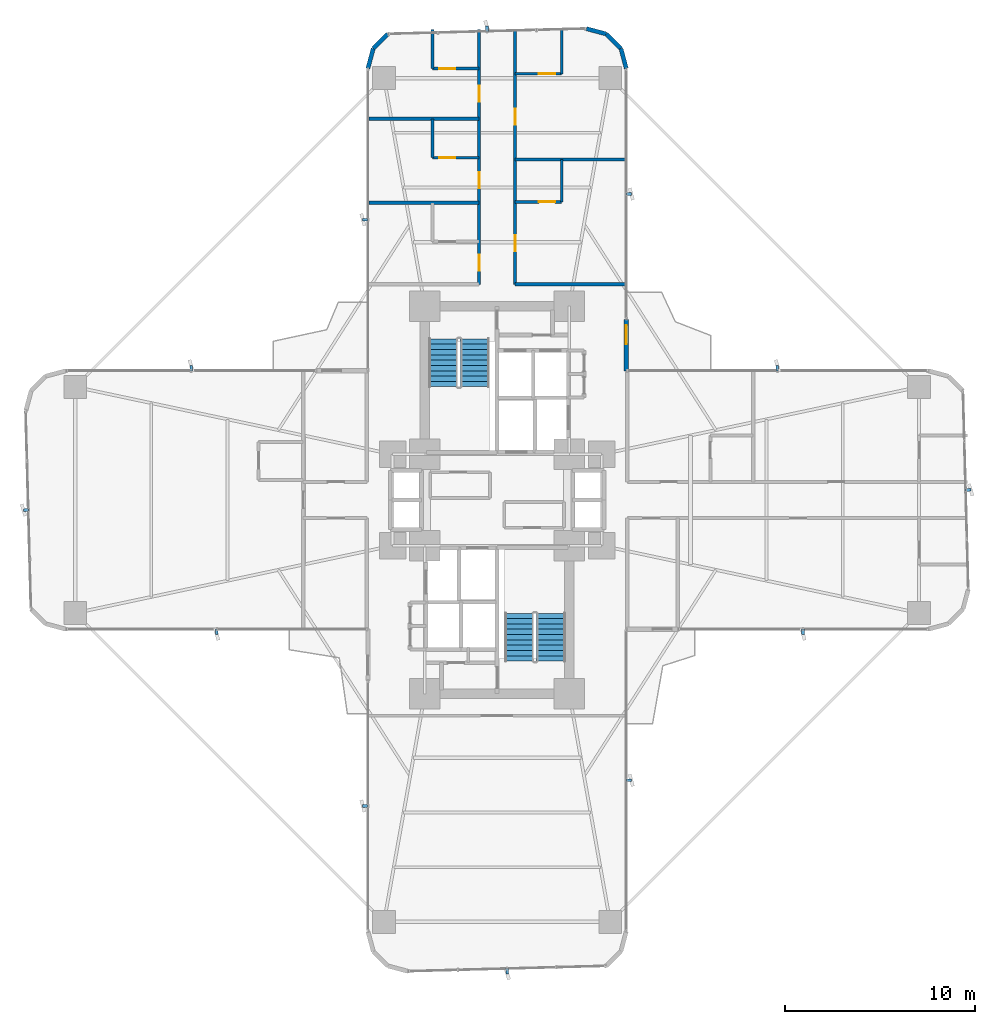
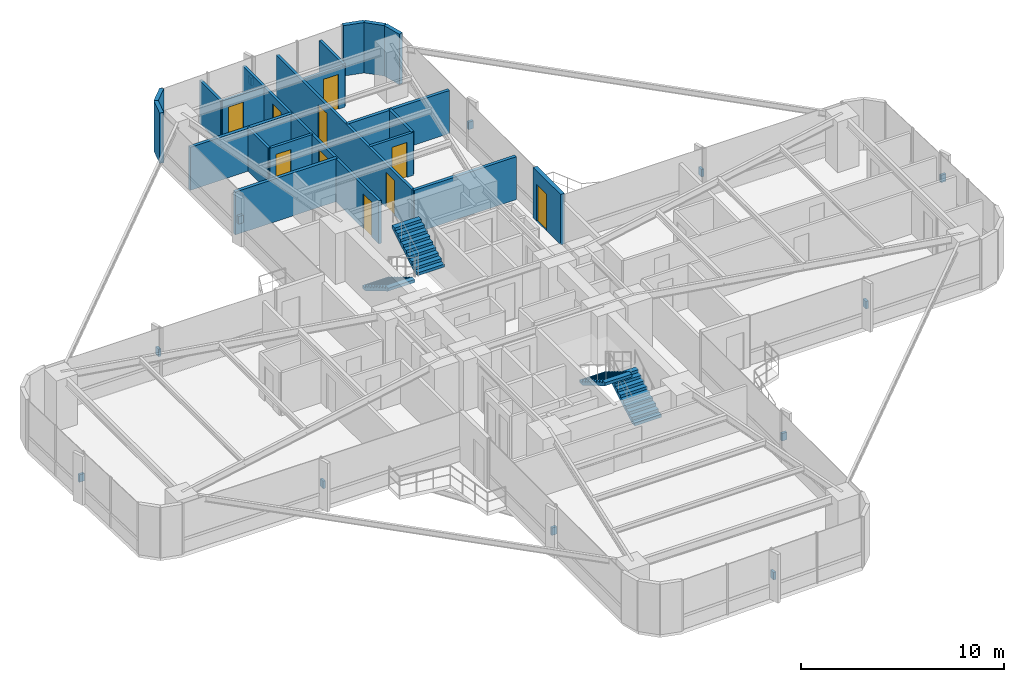
# One storey, part 24 of 25: 20 walls, 12 discrete accessories, 10 doors, 4 stair flights, 10 openings, 2 elements without a shape of their own.
"""IFC4 building model written with IfcOpenShell, lengths in metres."""

from ifc_helpers import new_model, si_unit, direction, frame, frame_2d, origin, origin_2d, place, context, subcontext, project, spatial, polyline, rectangle, outline, extrude, source, transform, mapped, material, layer, layer_set, type_object, element, fill, aggregate, save


model = new_model("IFC4")

# Units and contexts
model_context = context("Model", 3, precision=1e-05, world=origin(), true_north=direction((0.0, 1.0)))
body_context = subcontext(model_context, "Body", "Model", "MODEL_VIEW")
ifc_project = project(units=[si_unit("LENGTHUNIT", "METRE"), si_unit("AREAUNIT", "SQUARE_METRE"), si_unit("VOLUMEUNIT", "CUBIC_METRE"), si_unit("PLANEANGLEUNIT", "RADIAN"), si_unit("MASSUNIT", "GRAM", prefix="KILO")], contexts=[model_context])

# Site, building, storey
site_placement = place(None, origin())
site = spatial("IfcSite", under=ifc_project, at=site_placement, CompositionType="ELEMENT")
building_placement = place(site_placement, origin())
building = spatial("IfcBuilding", under=site, at=building_placement, Name="Sahyath Konkavel Grand Hotel", CompositionType="ELEMENT")
storey_placement = place(building_placement, frame((0.0, 0.0, 71.14990234375)))
storey = spatial("IfcBuildingStorey", under=building, at=storey_placement, Name="L19", CompositionType="ELEMENT", Elevation=71.14990234375)

# Wall, opening, door
ifc_material_1 = material(Name="Warm Buff Sandstone Insulated Concrete C40/50", Category="masonry")
ifc_layer_1 = layer(ifc_material_1, 0.219970703125)
ifc_layer_set_1 = layer_set([ifc_layer_1], Name="Warm Buff Sandstone Insulated Concrete C40/50")
wall_type_1 = type_object("IfcWallType", Name="WLL-BALC-THRESH", PredefinedType="STANDARD", material=ifc_layer_set_1)
wall_1_placement = place(storey_placement, frame((6.800048828125, 6.800048828125, 0.0), z_axis=(0.0, 0.0, 1.0), x_axis=(0.0, 1.0, 0.0)))
wall_1 = element("IfcWall", 1, at=wall_1_placement, inside=storey, type_object=wall_type_1, Name="L19 Winter-Garden Threshold Wall 8", PredefinedType="STANDARD", context=body_context, shape_type="SweptSolid", body=[
    extrude(rectangle(XDim=2.699951171875, YDim=0.219970703125, at=frame_2d((1.35009765625, 0.0))), origin(), (0.0, 0.0, 1.0), 3.030029296875),
])
opening_1_placement = place(wall_1_placement, frame((1.39990234375, 0.0, 0.0)))
opening_1 = element("IfcOpeningElement", 2, at=opening_1_placement, cuts=wall_1, Name="Opening D-TR1", PredefinedType="OPENING", context=body_context, shape_type="SweptSolid", body=[
    extrude(rectangle(XDim=1.0, YDim=2.199951171875, at=frame_2d((0.5, 1.10009765625))), frame((0.0, 0.1201171875, 0.0), z_axis=(0.0, -1.0, 0.0), x_axis=(1.0, 0.0, 0.0)), (0.0, 0.0, 1.0), 0.239990234375),
])
ifc_material_2 = material(Name="Anodised Bronze Aluminium & Low-E Glazing", Category="aluminium")
door_type_1 = type_object("IfcDoorType", Name="DR-TERRACE-1000", OperationType="NOTDEFINED", PredefinedType="DOOR", material=ifc_material_2)
shared_shape_1 = source(origin(), body_context, "Body", "SweptSolid", [
    extrude(rectangle(XDim=1.0, YDim=0.050048828125, at=origin_2d()), origin(), (0.0, 0.0, 1.0), 2.199951171875),
])
door_1_placement = place(opening_1_placement, frame((0.5, 0.0, 0.0)))
door_1 = element("IfcDoor", 3, at=door_1_placement, inside=storey, type_object=door_type_1, Name="L19 Winter-Garden Terrace Door 8", OperationType="SINGLE_SWING_LEFT", OverallHeight=2.199951171875, OverallWidth=1.0, PredefinedType="DOOR", context=body_context, shape_type="MappedRepresentation", body=[
    mapped(shared_shape_1, transform((0.0, 0.0, 0.0), scale=1.0)),
])
fill(opening_1, door_1)

# Walls
for number, where, z_axis, x_axis, name in (
    (4, (6.800048828125, 22.699951171875, 0.0), (0.0, 0.0, 1.0), (-0.25872485917, 0.965951058412, 0.0), "L19 Rounded Corner Sandstone Pier 9"),
    (5, (6.518798828125, 23.75, 0.0), (0.0, 0.0, 1.0), (-0.707106781187, 0.707106781187, 0.0), "L19 Rounded Corner Sandstone Pier 10"),
    (6, (5.75, 24.518798828125, 0.0), (0.0, 0.0, 1.0), (-0.965951058412, 0.25872485917, 0.0), "L19 Rounded Corner Sandstone Pier 11"),
    (7, (-5.75, 24.518798828125, 0.0), (0.0, 0.0, 1.0), (-0.707106781187, -0.707106781187, 0.0), "L19 Rounded Corner Sandstone Pier 13"),
    (8, (-6.518798828125, 23.75, 0.0), (0.0, 0.0, 1.0), (-0.25872485917, -0.965951058412, 0.0), "L19 Rounded Corner Sandstone Pier 14"),
):
    element("IfcWall", number, at=place(storey_placement, frame(where, z_axis=z_axis, x_axis=x_axis)), inside=storey, type_object=wall_type_1, Name=name, PredefinedType="STANDARD", context=body_context, shape_type="SweptSolid", body=[
        extrude(rectangle(XDim=1.087158203125, YDim=0.219970703125, at=frame_2d((0.54345703125, 0.0))), origin(), (0.0, 0.0, 1.0), 3.030029296875),
    ])
ifc_material_3 = material(Name="Twin-Stud Acoustic Gypsum Plasterboard Partition")
ifc_layer_2 = layer(ifc_material_3, 0.179931640625)
ifc_layer_set_2 = layer_set([ifc_layer_2], Name="Twin-Stud Acoustic Gypsum Plasterboard Partition")
wall_type_2 = type_object("IfcWallType", Name="WLL-DEMISE-180", PredefinedType="PARTITIONING", material=ifc_layer_set_2)
for number, where, z_axis, x_axis, name in (
    (9, (6.75, 11.35009765625, 0.0), (0.0, 0.0, 1.0), (-1.0, 0.0, 0.0), "L19 Partition N-INR"),
    (10, (-0.949951171875, 15.637939453125, 0.0), (0.0, 0.0, 1.0), (-1.0, 0.0, 0.0), "L19 Partition N-N1L-DEM"),
    (11, (-0.949951171875, 20.06005859375, 0.0), (0.0, 0.0, 1.0), (-1.0, 0.0, 0.0), "L19 Partition N-N2L-DEM"),
    (12, (0.949951171875, 17.916015625, 0.0), (0.0, 0.0, 1.0), (1.0, 0.0, 0.0), "L19 Partition N-N1R-DEM"),
):
    element("IfcWall", number, at=place(storey_placement, frame(where, z_axis=z_axis, x_axis=x_axis)), inside=storey, type_object=wall_type_2, Name=name, PredefinedType="PARTITIONING", context=body_context, shape_type="SweptSolid", body=[
        extrude(rectangle(XDim=5.800048828125, YDim=0.179931640625, at=frame_2d((2.89990234375, 0.0))), origin(), (0.0, 0.0, 1.0), 2.580078125),
    ])

# Wall, openings, doors
ifc_material_4 = material(Name="Fire-Rated Gypsum Plasterboard Partition")
ifc_layer_3 = layer(ifc_material_4, 0.14990234375)
ifc_layer_set_3 = layer_set([ifc_layer_3], Name="Fire-Rated Gypsum Plasterboard Partition")
wall_type_3 = type_object("IfcWallType", Name="WLL-PART-150", PredefinedType="PARTITIONING", material=ifc_layer_set_3)
wall_2_placement = place(storey_placement, frame((-0.949951171875, 11.35009765625, 0.0), z_axis=(0.0, 0.0, 1.0), x_axis=(0.0, 1.0, 0.0)))
wall_2 = element("IfcWall", 13, at=wall_2_placement, inside=storey, type_object=wall_type_3, Name="L19 Partition N-CL", PredefinedType="PARTITIONING", context=body_context, shape_type="SweptSolid", body=[
    extrude(rectangle(XDim=13.39990234375, YDim=0.14990234375, at=frame_2d((6.699951171875, 0.0))), origin(), (0.0, 0.0, 1.0), 2.580078125),
])
opening_2_placement = place(wall_2_placement, frame((0.699951171875, 0.0, 0.0)))
opening_2 = element("IfcOpeningElement", 14, at=opening_2_placement, cuts=wall_2, Name="Opening D-F06D", PredefinedType="OPENING", context=body_context, shape_type="SweptSolid", body=[
    extrude(rectangle(XDim=0.85009765625, YDim=2.10009765625, at=frame_2d((0.425048828125, 1.050048828125))), frame((0.0, 0.0849609375, 0.0), z_axis=(0.0, -1.0, 0.0), x_axis=(1.0, 0.0, 0.0)), (0.0, 0.0, 1.0), 0.169921875),
])
opening_3_placement = place(wall_2_placement, frame((5.049072265625, 0.0, 0.0)))
opening_3 = element("IfcOpeningElement", 15, at=opening_3_placement, cuts=wall_2, Name="Opening D-F06D", PredefinedType="OPENING", context=body_context, shape_type="SweptSolid", body=[
    extrude(rectangle(XDim=0.85009765625, YDim=2.10009765625, at=frame_2d((0.425048828125, 1.050048828125))), frame((0.0, 0.0849609375, 0.0), z_axis=(0.0, -1.0, 0.0), x_axis=(1.0, 0.0, 0.0)), (0.0, 0.0, 1.0), 0.169921875),
])
opening_4_placement = place(wall_2_placement, frame((9.60498046875, 0.0, 0.0)))
opening_4 = element("IfcOpeningElement", 16, at=opening_4_placement, cuts=wall_2, Name="Opening D-F06D", PredefinedType="OPENING", context=body_context, shape_type="SweptSolid", body=[
    extrude(rectangle(XDim=0.85009765625, YDim=2.10009765625, at=frame_2d((0.425048828125, 1.050048828125))), frame((0.0, 0.0849609375, 0.0), z_axis=(0.0, -1.0, 0.0), x_axis=(1.0, 0.0, 0.0)), (0.0, 0.0, 1.0), 0.169921875),
])
ifc_material_5 = material(Name="Fire-Rated Shaft Access Door")
door_type_2 = type_object("IfcDoorType", Name="DR-FD60-850", OperationType="NOTDEFINED", PredefinedType="DOOR", material=ifc_material_5)
shared_shape_2 = source(origin(), body_context, "Body", "SweptSolid", [
    extrude(rectangle(XDim=0.85009765625, YDim=0.050048828125, at=origin_2d()), origin(), (0.0, 0.0, 1.0), 2.10009765625),
])
door_2_placement = place(opening_2_placement, frame((0.425048828125, 0.0, 0.0)))
door_2 = element("IfcDoor", 17, at=door_2_placement, inside=storey, type_object=door_type_2, Name="L19 Door N-N1L-ED", OperationType="SINGLE_SWING_RIGHT", OverallHeight=2.10009765625, OverallWidth=0.85009765625, PredefinedType="DOOR", context=body_context, shape_type="MappedRepresentation", body=[
    mapped(shared_shape_2, transform((0.0, 0.0, 0.0), scale=1.0)),
])
fill(opening_2, door_2)
door_3_placement = place(opening_3_placement, frame((0.425048828125, 0.0, 0.0)))
door_3 = element("IfcDoor", 18, at=door_3_placement, inside=storey, type_object=door_type_2, Name="L19 Door N-N2L-ED", OperationType="SINGLE_SWING_RIGHT", OverallHeight=2.10009765625, OverallWidth=0.85009765625, PredefinedType="DOOR", context=body_context, shape_type="MappedRepresentation", body=[
    mapped(shared_shape_2, transform((0.0, 0.0, 0.0), scale=1.0)),
])
fill(opening_3, door_3)
door_4_placement = place(opening_4_placement, frame((0.425048828125, 0.0, 0.0)))
door_4 = element("IfcDoor", 19, at=door_4_placement, inside=storey, type_object=door_type_2, Name="L19 Door N-N3L-ED", OperationType="SINGLE_SWING_RIGHT", OverallHeight=2.10009765625, OverallWidth=0.85009765625, PredefinedType="DOOR", context=body_context, shape_type="MappedRepresentation", body=[
    mapped(shared_shape_2, transform((0.0, 0.0, 0.0), scale=1.0)),
])
fill(opening_4, door_4)

wall_3_placement = place(storey_placement, frame((0.949951171875, 11.35009765625, 0.0), z_axis=(0.0, 0.0, 1.0), x_axis=(0.0, 1.0, 0.0)))
wall_3 = element("IfcWall", 20, at=wall_3_placement, inside=storey, type_object=wall_type_3, Name="L19 Partition N-CR", PredefinedType="PARTITIONING", context=body_context, shape_type="SweptSolid", body=[
    extrude(rectangle(XDim=13.39990234375, YDim=0.14990234375, at=frame_2d((6.699951171875, 0.0))), origin(), (0.0, 0.0, 1.0), 2.580078125),
])
opening_5_placement = place(wall_3_placement, frame((1.741943359375, 0.0, 0.0)))
opening_5 = element("IfcOpeningElement", 21, at=opening_5_placement, cuts=wall_3, Name="Opening D-F06D", PredefinedType="OPENING", context=body_context, shape_type="SweptSolid", body=[
    extrude(rectangle(XDim=0.85009765625, YDim=2.10009765625, at=frame_2d((0.425048828125, 1.050048828125))), frame((0.0, 0.0849609375, 0.0), z_axis=(0.0, -1.0, 0.0), x_axis=(1.0, 0.0, 0.0)), (0.0, 0.0, 1.0), 0.169921875),
])
opening_6_placement = place(wall_3_placement, frame((8.39599609375, 0.0, 0.0)))
opening_6 = element("IfcOpeningElement", 22, at=opening_6_placement, cuts=wall_3, Name="Opening D-F06D", PredefinedType="OPENING", context=body_context, shape_type="SweptSolid", body=[
    extrude(rectangle(XDim=0.85009765625, YDim=2.10009765625, at=frame_2d((0.425048828125, 1.050048828125))), frame((0.0, 0.0849609375, 0.0), z_axis=(0.0, -1.0, 0.0), x_axis=(1.0, 0.0, 0.0)), (0.0, 0.0, 1.0), 0.169921875),
])
door_5_placement = place(opening_5_placement, frame((0.425048828125, 0.0, 0.0)))
door_5 = element("IfcDoor", 23, at=door_5_placement, inside=storey, type_object=door_type_2, Name="L19 Door N-N1R-ED", OperationType="SINGLE_SWING_RIGHT", OverallHeight=2.10009765625, OverallWidth=0.85009765625, PredefinedType="DOOR", context=body_context, shape_type="MappedRepresentation", body=[
    mapped(shared_shape_2, transform((0.0, 0.0, 0.0), scale=1.0)),
])
fill(opening_5, door_5)
door_6_placement = place(opening_6_placement, frame((0.425048828125, 0.0, 0.0)))
door_6 = element("IfcDoor", 24, at=door_6_placement, inside=storey, type_object=door_type_2, Name="L19 Door N-N2R-ED", OperationType="SINGLE_SWING_RIGHT", OverallHeight=2.10009765625, OverallWidth=0.85009765625, PredefinedType="DOOR", context=body_context, shape_type="MappedRepresentation", body=[
    mapped(shared_shape_2, transform((0.0, 0.0, 0.0), scale=1.0)),
])
fill(opening_6, door_6)

# Wall, opening, door
wall_4_placement = place(storey_placement, frame((-0.949951171875, 18.010009765625, 0.0), z_axis=(0.0, 0.0, 1.0), x_axis=(-1.0, 0.0, 0.0)))
wall_4 = element("IfcWall", 25, at=wall_4_placement, inside=storey, type_object=wall_type_3, Name="L19 Partition N-N2L-BS", PredefinedType="PARTITIONING", context=body_context, shape_type="SweptSolid", body=[
    extrude(rectangle(XDim=2.449951171875, YDim=0.14990234375, at=frame_2d((1.22509765625, 0.0))), origin(), (0.0, 0.0, 1.0), 2.580078125),
])
opening_7_placement = place(wall_4_placement, frame((1.25, 0.0, 0.0)))
opening_7 = element("IfcOpeningElement", 26, at=opening_7_placement, cuts=wall_4, Name="Opening D-BT85", PredefinedType="OPENING", context=body_context, shape_type="SweptSolid", body=[
    extrude(rectangle(XDim=0.85009765625, YDim=2.10009765625, at=frame_2d((0.425048828125, 1.050048828125))), frame((0.0, 0.0849609375, 0.0), z_axis=(0.0, -1.0, 0.0), x_axis=(1.0, 0.0, 0.0)), (0.0, 0.0, 1.0), 0.169921875),
])
ifc_material_6 = material(Name="Moisture-Resistant Teak Bathroom Door")
door_type_3 = type_object("IfcDoorType", Name="DR-BATH-850", OperationType="NOTDEFINED", PredefinedType="DOOR", material=ifc_material_6)
door_7_placement = place(opening_7_placement, frame((0.425048828125, 0.0, 0.0)))
door_7 = element("IfcDoor", 27, at=door_7_placement, inside=storey, type_object=door_type_3, Name="L19 Door N-N2L-BD", OperationType="SINGLE_SWING_LEFT", OverallHeight=2.10009765625, OverallWidth=0.85009765625, PredefinedType="DOOR", context=body_context, shape_type="MappedRepresentation", body=[
    mapped(shared_shape_2, transform((0.0, 0.0, 0.0), scale=1.0)),
])
fill(opening_7, door_7)

# Wall
wall_5_placement = place(storey_placement, frame((-3.39990234375, 18.010009765625, 0.0), z_axis=(0.0, 0.0, 1.0), x_axis=(0.0, 1.0, 0.0)))
element("IfcWall", 28, at=wall_5_placement, inside=storey, type_object=wall_type_3, Name="L19 Partition N-N2L-BF", PredefinedType="PARTITIONING", context=body_context, shape_type="SweptSolid", body=[
    extrude(rectangle(XDim=2.050048828125, YDim=0.14990234375, at=frame_2d((1.02490234375, 0.0))), origin(), (0.0, 0.0, 1.0), 2.580078125),
])

# Wall, opening, door
wall_6_placement = place(storey_placement, frame((-0.949951171875, 22.699951171875, 0.0), z_axis=(0.0, 0.0, 1.0), x_axis=(-1.0, 0.0, 0.0)))
wall_6 = element("IfcWall", 29, at=wall_6_placement, inside=storey, type_object=wall_type_3, Name="L19 Partition N-N3L-BS", PredefinedType="PARTITIONING", context=body_context, shape_type="SweptSolid", body=[
    extrude(rectangle(XDim=2.449951171875, YDim=0.14990234375, at=frame_2d((1.22509765625, 0.0))), origin(), (0.0, 0.0, 1.0), 2.580078125),
])
opening_8_placement = place(wall_6_placement, frame((1.25, 0.0, 0.0)))
opening_8 = element("IfcOpeningElement", 30, at=opening_8_placement, cuts=wall_6, Name="Opening D-BT85", PredefinedType="OPENING", context=body_context, shape_type="SweptSolid", body=[
    extrude(rectangle(XDim=0.85009765625, YDim=2.10009765625, at=frame_2d((0.425048828125, 1.050048828125))), frame((0.0, 0.0849609375, 0.0), z_axis=(0.0, -1.0, 0.0), x_axis=(1.0, 0.0, 0.0)), (0.0, 0.0, 1.0), 0.169921875),
])
door_8_placement = place(opening_8_placement, frame((0.425048828125, 0.0, 0.0)))
door_8 = element("IfcDoor", 31, at=door_8_placement, inside=storey, type_object=door_type_3, Name="L19 Door N-N3L-BD", OperationType="SINGLE_SWING_LEFT", OverallHeight=2.10009765625, OverallWidth=0.85009765625, PredefinedType="DOOR", context=body_context, shape_type="MappedRepresentation", body=[
    mapped(shared_shape_2, transform((0.0, 0.0, 0.0), scale=1.0)),
])
fill(opening_8, door_8)

# Wall
wall_7_placement = place(storey_placement, frame((-3.39990234375, 22.699951171875, 0.0), z_axis=(0.0, 0.0, 1.0), x_axis=(0.0, 1.0, 0.0)))
element("IfcWall", 32, at=wall_7_placement, inside=storey, type_object=wall_type_3, Name="L19 Partition N-N3L-BF", PredefinedType="PARTITIONING", context=body_context, shape_type="SweptSolid", body=[
    extrude(rectangle(XDim=2.050048828125, YDim=0.14990234375, at=frame_2d((1.02490234375, 0.0))), origin(), (0.0, 0.0, 1.0), 2.580078125),
])

# Wall, opening, door
wall_8_placement = place(storey_placement, frame((0.949951171875, 15.68408203125, 0.0), z_axis=(0.0, 0.0, 1.0), x_axis=(1.0, 0.0, 0.0)))
wall_8 = element("IfcWall", 33, at=wall_8_placement, inside=storey, type_object=wall_type_3, Name="L19 Partition N-N1R-BS", PredefinedType="PARTITIONING", context=body_context, shape_type="SweptSolid", body=[
    extrude(rectangle(XDim=2.449951171875, YDim=0.14990234375, at=frame_2d((1.22509765625, 0.0))), origin(), (0.0, 0.0, 1.0), 2.580078125),
])
opening_9_placement = place(wall_8_placement, frame((1.25, 0.0, 0.0)))
opening_9 = element("IfcOpeningElement", 34, at=opening_9_placement, cuts=wall_8, Name="Opening D-BT85", PredefinedType="OPENING", context=body_context, shape_type="SweptSolid", body=[
    extrude(rectangle(XDim=0.85009765625, YDim=2.10009765625, at=frame_2d((0.425048828125, 1.050048828125))), frame((0.0, 0.0849609375, 0.0), z_axis=(0.0, -1.0, 0.0), x_axis=(1.0, 0.0, 0.0)), (0.0, 0.0, 1.0), 0.169921875),
])
door_9_placement = place(opening_9_placement, frame((0.425048828125, 0.0, 0.0)))
door_9 = element("IfcDoor", 35, at=door_9_placement, inside=storey, type_object=door_type_3, Name="L19 Door N-N1R-BD", OperationType="SINGLE_SWING_LEFT", OverallHeight=2.10009765625, OverallWidth=0.85009765625, PredefinedType="DOOR", context=body_context, shape_type="MappedRepresentation", body=[
    mapped(shared_shape_2, transform((0.0, 0.0, 0.0), scale=1.0)),
])
fill(opening_9, door_9)

# Wall
wall_9_placement = place(storey_placement, frame((3.39990234375, 15.68408203125, 0.0), z_axis=(0.0, 0.0, 1.0), x_axis=(0.0, 1.0, 0.0)))
element("IfcWall", 36, at=wall_9_placement, inside=storey, type_object=wall_type_3, Name="L19 Partition N-N1R-BF", PredefinedType="PARTITIONING", context=body_context, shape_type="SweptSolid", body=[
    extrude(rectangle(XDim=2.23193359375, YDim=0.14990234375, at=frame_2d((1.115966796875, 0.0))), origin(), (0.0, 0.0, 1.0), 2.580078125),
])

# Wall, opening, door
wall_10_placement = place(storey_placement, frame((0.949951171875, 22.426025390625, 0.0), z_axis=(0.0, 0.0, 1.0), x_axis=(1.0, 0.0, 0.0)))
wall_10 = element("IfcWall", 37, at=wall_10_placement, inside=storey, type_object=wall_type_3, Name="L19 Partition N-N2R-BS", PredefinedType="PARTITIONING", context=body_context, shape_type="SweptSolid", body=[
    extrude(rectangle(XDim=2.449951171875, YDim=0.14990234375, at=frame_2d((1.22509765625, 0.0))), origin(), (0.0, 0.0, 1.0), 2.5),
])
opening_10_placement = place(wall_10_placement, frame((1.25, 0.0, 0.0)))
opening_10 = element("IfcOpeningElement", 38, at=opening_10_placement, cuts=wall_10, Name="Opening D-BT85", PredefinedType="OPENING", context=body_context, shape_type="SweptSolid", body=[
    extrude(rectangle(XDim=0.85009765625, YDim=2.10009765625, at=frame_2d((0.425048828125, 1.050048828125))), frame((0.0, 0.0849609375, 0.0), z_axis=(0.0, -1.0, 0.0), x_axis=(1.0, 0.0, 0.0)), (0.0, 0.0, 1.0), 0.169921875),
])
door_10_placement = place(opening_10_placement, frame((0.425048828125, 0.0, 0.0)))
door_10 = element("IfcDoor", 39, at=door_10_placement, inside=storey, type_object=door_type_3, Name="L19 Door N-N2R-BD", OperationType="SINGLE_SWING_LEFT", OverallHeight=2.10009765625, OverallWidth=0.85009765625, PredefinedType="DOOR", context=body_context, shape_type="MappedRepresentation", body=[
    mapped(shared_shape_2, transform((0.0, 0.0, 0.0), scale=1.0)),
])
fill(opening_10, door_10)

# Wall
wall_11_placement = place(storey_placement, frame((3.39990234375, 22.426025390625, 0.0), z_axis=(0.0, 0.0, 1.0), x_axis=(0.0, 1.0, 0.0)))
element("IfcWall", 40, at=wall_11_placement, inside=storey, type_object=wall_type_3, Name="L19 Partition N-N2R-BF", PredefinedType="PARTITIONING", context=body_context, shape_type="SweptSolid", body=[
    extrude(rectangle(XDim=2.323974609375, YDim=0.14990234375, at=frame_2d((1.162109375, 0.0))), origin(), (0.0, 0.0, 1.0), 2.580078125),
])

# Stair, stair flights
ifc_material_7 = material(Name="Concrete C40/50", Category="concrete")
stair_type = type_object("IfcStairType", Name="STR-ST16-335", PredefinedType="HALF_TURN_STAIR", material=ifc_material_7)
stair_1_placement = place(storey_placement, origin())
stair_1 = element("IfcStair", 41, at=stair_1_placement, inside=storey, type_object=stair_type, Name="L19 North Core Smokeproof Exit Stair ST-1", PredefinedType="HALF_TURN_STAIR")
stair_flight_type = type_object("IfcStairFlightType", Name="STF-ST16-335", PredefinedType="STRAIGHT", material=ifc_material_7)
stair_flight_1_placement = place(storey_placement, frame((-2.840087890625, 8.47998046875, 0.0), z_axis=(0.0, 0.0, 1.0), x_axis=(0.0, -1.0, 0.0)))
stair_flight_1 = element("IfcStairFlight", 42, at=stair_flight_1_placement, type_object=stair_flight_type, Name="ST-1 flight 1", NumberOfRisers=10, NumberOfTreads=9, PredefinedType="STRAIGHT", RiserHeight=0.1675, TreadLength=0.28, context=body_context, shape_type="SweptSolid", body=[
    extrude(outline(polyline([(0.0, 0.0), (0.0, 0.16748046875), (0.280029296875, 0.16748046875), (0.280029296875, 0.3349609375), (0.56005859375, 0.3349609375), (0.56005859375, 0.50244140625), (0.840087890625, 0.50244140625), (0.840087890625, 0.669921875), (1.1201171875, 0.669921875), (1.1201171875, 0.83740234375), (1.39990234375, 0.83740234375), (1.39990234375, 1.0048828125), (1.679931640625, 1.0048828125), (1.679931640625, 1.172607421875), (1.9599609375, 1.172607421875), (1.9599609375, 1.340087890625), (2.239990234375, 1.340087890625), (2.239990234375, 1.507568359375), (2.52001953125, 1.507568359375), (2.52001953125, 1.675048828125), (2.52001953125, 1.332763671875), (0.2919921875, 0.0), (0.0, 0.0)])), frame((0.0, 0.760009765625, 0.0), z_axis=(0.0, -1.0, 0.0), x_axis=(1.0, 0.0, 0.0)), (0.0, 0.0, 1.0), 1.52001953125),
])
stair_flight_2_placement = place(storey_placement, frame((-1.159912109375, 5.9599609375, 1.675048828125), z_axis=(0.0, 0.0, 1.0), x_axis=(0.0, 1.0, 0.0)))
stair_flight_2 = element("IfcStairFlight", 43, at=stair_flight_2_placement, type_object=stair_flight_type, Name="ST-1 flight 2", NumberOfRisers=10, NumberOfTreads=9, PredefinedType="STRAIGHT", RiserHeight=0.1675, TreadLength=0.28, context=body_context, shape_type="SweptSolid", body=[
    extrude(outline(polyline([(0.0, 0.0), (0.0, 0.16748046875), (0.280029296875, 0.16748046875), (0.280029296875, 0.3349609375), (0.56005859375, 0.3349609375), (0.56005859375, 0.50244140625), (0.840087890625, 0.50244140625), (0.840087890625, 0.669921875), (1.1201171875, 0.669921875), (1.1201171875, 0.83740234375), (1.39990234375, 0.83740234375), (1.39990234375, 1.0048828125), (1.679931640625, 1.0048828125), (1.679931640625, 1.172607421875), (1.9599609375, 1.172607421875), (1.9599609375, 1.340087890625), (2.239990234375, 1.340087890625), (2.239990234375, 1.507568359375), (2.52001953125, 1.507568359375), (2.52001953125, 1.675048828125), (2.52001953125, 1.332763671875), (0.2919921875, 0.0), (0.0, 0.0)])), frame((0.0, 0.760009765625, 0.0), z_axis=(0.0, -1.0, 0.0), x_axis=(1.0, 0.0, 0.0)), (0.0, 0.0, 1.0), 1.52001953125),
])
aggregate(stair_1, [stair_flight_1, stair_flight_2])

stair_2_placement = place(storey_placement, origin())
stair_2 = element("IfcStair", 44, at=stair_2_placement, inside=storey, type_object=stair_type, Name="L19 South Core Smokeproof Exit Stair ST-2", PredefinedType="HALF_TURN_STAIR")
stair_flight_3_placement = place(storey_placement, frame((2.840087890625, -8.47998046875, 0.0), z_axis=(0.0, 0.0, 1.0), x_axis=(0.0, 1.0, 0.0)))
stair_flight_3 = element("IfcStairFlight", 45, at=stair_flight_3_placement, type_object=stair_flight_type, Name="ST-2 flight 1", NumberOfRisers=10, NumberOfTreads=9, PredefinedType="STRAIGHT", RiserHeight=0.1675, TreadLength=0.28, context=body_context, shape_type="SweptSolid", body=[
    extrude(outline(polyline([(0.0, 0.0), (0.0, 0.16748046875), (0.280029296875, 0.16748046875), (0.280029296875, 0.3349609375), (0.56005859375, 0.3349609375), (0.56005859375, 0.50244140625), (0.840087890625, 0.50244140625), (0.840087890625, 0.669921875), (1.1201171875, 0.669921875), (1.1201171875, 0.83740234375), (1.39990234375, 0.83740234375), (1.39990234375, 1.0048828125), (1.679931640625, 1.0048828125), (1.679931640625, 1.172607421875), (1.9599609375, 1.172607421875), (1.9599609375, 1.340087890625), (2.239990234375, 1.340087890625), (2.239990234375, 1.507568359375), (2.52001953125, 1.507568359375), (2.52001953125, 1.675048828125), (2.52001953125, 1.332763671875), (0.2919921875, 0.0), (0.0, 0.0)])), frame((0.0, 0.760009765625, 0.0), z_axis=(0.0, -1.0, 0.0), x_axis=(1.0, 0.0, 0.0)), (0.0, 0.0, 1.0), 1.52001953125),
])
stair_flight_4_placement = place(storey_placement, frame((1.159912109375, -5.9599609375, 1.675048828125), z_axis=(0.0, 0.0, 1.0), x_axis=(0.0, -1.0, 0.0)))
stair_flight_4 = element("IfcStairFlight", 46, at=stair_flight_4_placement, type_object=stair_flight_type, Name="ST-2 flight 2", NumberOfRisers=10, NumberOfTreads=9, PredefinedType="STRAIGHT", RiserHeight=0.1675, TreadLength=0.28, context=body_context, shape_type="SweptSolid", body=[
    extrude(outline(polyline([(0.0, 0.0), (0.0, 0.16748046875), (0.280029296875, 0.16748046875), (0.280029296875, 0.3349609375), (0.56005859375, 0.3349609375), (0.56005859375, 0.50244140625), (0.840087890625, 0.50244140625), (0.840087890625, 0.669921875), (1.1201171875, 0.669921875), (1.1201171875, 0.83740234375), (1.39990234375, 0.83740234375), (1.39990234375, 1.0048828125), (1.679931640625, 1.0048828125), (1.679931640625, 1.172607421875), (1.9599609375, 1.172607421875), (1.9599609375, 1.340087890625), (2.239990234375, 1.340087890625), (2.239990234375, 1.507568359375), (2.52001953125, 1.507568359375), (2.52001953125, 1.675048828125), (2.52001953125, 1.332763671875), (0.2919921875, 0.0), (0.0, 0.0)])), frame((0.0, 0.760009765625, 0.0), z_axis=(0.0, -1.0, 0.0), x_axis=(1.0, 0.0, 0.0)), (0.0, 0.0, 1.0), 1.52001953125),
])
aggregate(stair_2, [stair_flight_3, stair_flight_4])

# Discrete accessories
ifc_material_8 = material(Name="Steel E350", Category="steel")
discrete_accessory_type = type_object("IfcDiscreteAccessoryType", Name="ACC-FIN-BRACKET", PredefinedType="BRACKET", material=ifc_material_8)
shared_shape_3 = source(origin(), body_context, "Body", "SweptSolid", [
    extrude(rectangle(XDim=0.280029296875, YDim=0.139892578125, at=origin_2d()), origin(), (0.0, 0.0, 1.0), 0.449951171875),
])
for number, where, z_axis, x_axis, name in (
    (47, (16.10009765625, -6.929931640625, 1.2900390625), (0.0, 0.0, 1.0), (0.0, -1.0, 0.0), "L19 Fin Support Bracket F0-1"),
    (48, (24.789306640625, 0.528564453125, 1.2900390625), (0.0, 0.0, 1.0), (0.999637867691, 0.026909728301, 0.0), "L19 Fin Support Bracket F4-2"),
    (49, (14.75, 6.929931640625, 1.2900390625), (0.0, 0.0, 1.0), (0.0, 1.0, 0.0), "L19 Fin Support Bracket F7-1"),
    (50, (6.929931640625, 16.10009765625, 1.2900390625), (0.0, 0.0, 1.0), (1.0, 0.0, 0.0), "L19 Fin Support Bracket F8-1"),
    (51, (-0.528564453125, 24.789306640625, 1.2900390625), (0.0, 0.0, 1.0), (-0.026909728301, 0.999637867691, 0.0), "L19 Fin Support Bracket F12-2"),
    (52, (-6.929931640625, 14.75, 1.2900390625), (0.0, 0.0, 1.0), (-1.0, 0.0, 0.0), "L19 Fin Support Bracket F15-1"),
    (53, (-16.10009765625, 6.929931640625, 1.2900390625), (0.0, 0.0, 1.0), (0.0, 1.0, 0.0), "L19 Fin Support Bracket F16-1"),
    (54, (-24.789306640625, -0.528564453125, 1.2900390625), (0.0, 0.0, 1.0), (-0.999637867691, -0.026909728301, 0.0), "L19 Fin Support Bracket F20-2"),
    (55, (-14.75, -6.929931640625, 1.2900390625), (0.0, 0.0, 1.0), (0.0, -1.0, 0.0), "L19 Fin Support Bracket F23-1"),
    (56, (-6.929931640625, -16.10009765625, 1.2900390625), (0.0, 0.0, 1.0), (-1.0, 0.0, 0.0), "L19 Fin Support Bracket F24-1"),
    (57, (0.528564453125, -24.789306640625, 1.2900390625), (0.0, 0.0, 1.0), (0.026909728301, -0.999637867691, 0.0), "L19 Fin Support Bracket F28-2"),
    (58, (6.929931640625, -14.75, 1.2900390625), (0.0, 0.0, 1.0), (1.0, 0.0, 0.0), "L19 Fin Support Bracket F31-1"),
):
    element("IfcDiscreteAccessory", number, at=place(storey_placement, frame(where, z_axis=z_axis, x_axis=x_axis)), inside=storey, type_object=discrete_accessory_type, Name=name, PredefinedType="BRACKET", context=body_context, shape_type="MappedRepresentation", body=[
        mapped(shared_shape_3, transform((0.0, 0.0, 0.0), scale=1.0)),
    ])

save(model, "model.ifc")
